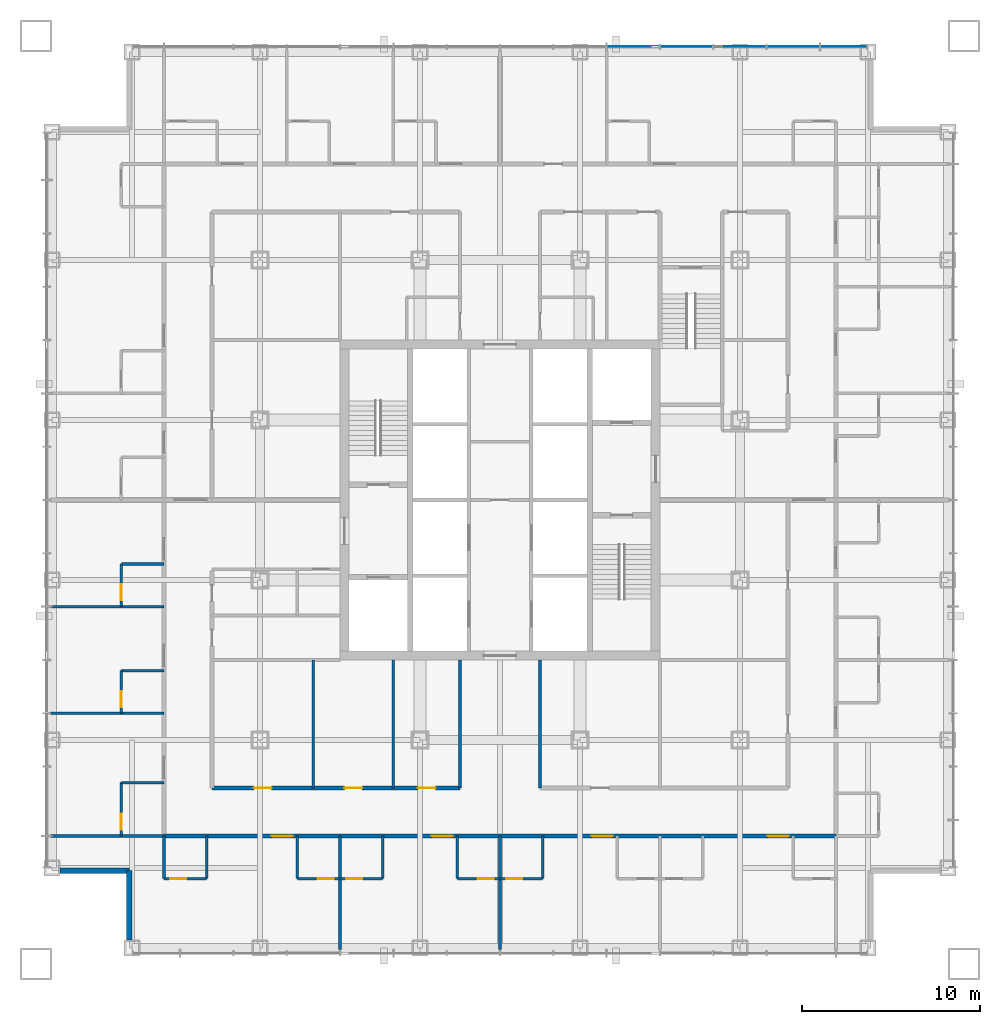
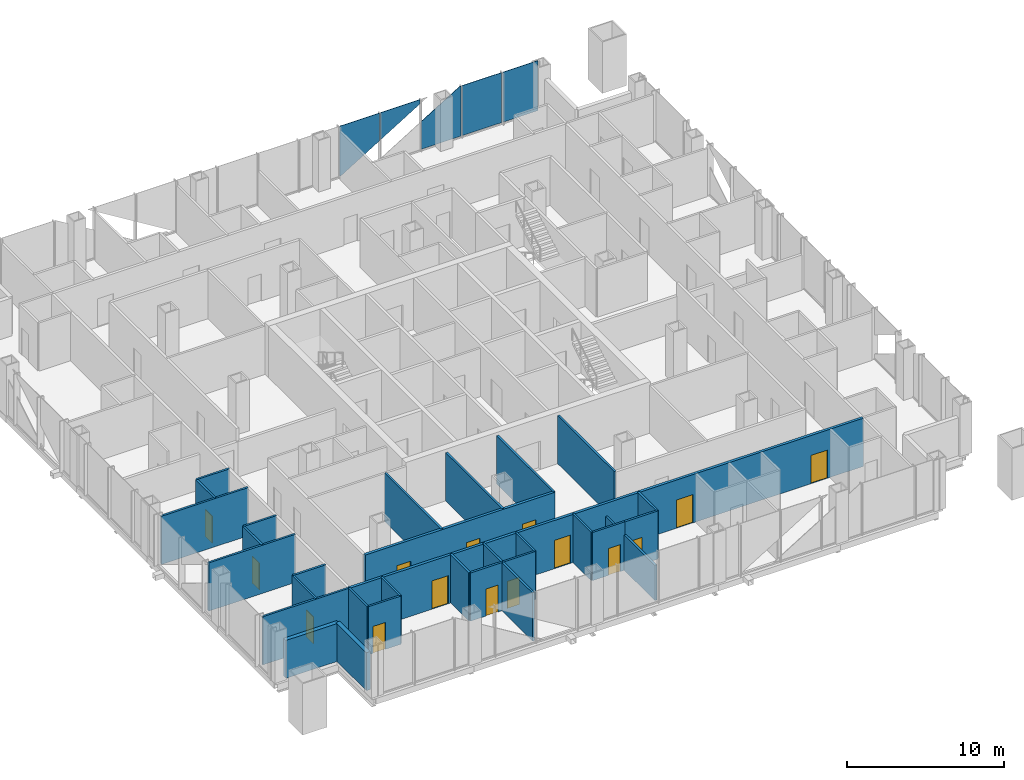
# One storey, part 7 of 17: 30 walls, 15 doors, 5 plates, 15 openings, 1 element without a shape of its own.
"""IFC4 building model written with IfcOpenShell, lengths in metres."""

from ifc_helpers import new_model, si_unit, direction, frame, frame_2d, origin, origin_2d, place, context, subcontext, project, spatial, polyline, rectangle, outline, extrude, material, layer, layer_set, type_object, element, fill, aggregate, save


model = new_model("IFC4")

# Units and contexts
model_context = context("Model", 3, precision=1e-05, world=origin(), true_north=direction((0.0, 1.0)))
body_context = subcontext(model_context, "Body", "Model", "MODEL_VIEW")
ifc_project = project(units=[si_unit("LENGTHUNIT", "METRE"), si_unit("AREAUNIT", "SQUARE_METRE"), si_unit("VOLUMEUNIT", "CUBIC_METRE"), si_unit("PLANEANGLEUNIT", "RADIAN"), si_unit("MASSUNIT", "GRAM", prefix="KILO")], contexts=[model_context])

# Site, building, storey
site_placement = place(None, origin())
site = spatial("IfcSite", under=ifc_project, at=site_placement, CompositionType="ELEMENT")
building_placement = place(site_placement, origin())
building = spatial("IfcBuilding", under=site, at=building_placement, Name="Malebo Sky Hospital", CompositionType="ELEMENT")
storey_placement = place(building_placement, frame((0.0, 0.0, 51.0)))
storey = spatial("IfcBuildingStorey", under=building, at=storey_placement, Name="L11", CompositionType="ELEMENT", Elevation=51.0)

# Curtain wall, plates
ifc_material_1 = material(Name="Anodised aluminium, natural silver", Category="aluminium")
ifc_layer_1 = layer(ifc_material_1, 0.25)
ifc_layer_set_1 = layer_set([ifc_layer_1], Name="WARD CURTAIN WALL NORTH AND SOUTH")
curtain_wall_type = type_object("IfcCurtainWallType", Name="WARD CURTAIN WALL NORTH AND SOUTH", PredefinedType="NOTDEFINED", material=ifc_layer_set_1)
curtain_wall_placement = place(storey_placement, origin())
curtain_wall = element("IfcCurtainWall", 1, at=curtain_wall_placement, inside=storey, type_object=curtain_wall_type, Name="NS curtain wall N", PredefinedType="NOTDEFINED")
ifc_material_2 = material(Name="Clear low-iron double glazing", Category="glass")
ifc_layer_2 = layer(ifc_material_2, 0.031982421875)
ifc_layer_set_2 = layer_set([ifc_layer_2], Name="VISION PANEL CLEAR 32")
plate_type = type_object("IfcPlateType", Name="VISION PANEL CLEAR 32", PredefinedType="CURTAIN_PANEL", material=ifc_layer_set_2)
plate_1_placement = place(storey_placement, frame((67.5, 87.5, 0.10009765625), z_axis=(0.0, 0.0, 1.0), x_axis=(1.0, 0.0, 0.0)))
plate_1 = element("IfcPlate", 2, at=plate_1_placement, type_object=plate_type, Name="Panel 10", PredefinedType="CURTAIN_PANEL", context=body_context, shape_type="SweptSolid", body=[
    extrude(outline(polyline([(-1.46240234375, 0.0), (-1.356201171875, 0.0), (1.46240234375, 1.72802734375), (1.46240234375, 3.889892578125), (-1.46240234375, 3.889892578125), (-1.46240234375, 0.0)])), frame((0.0, 0.01611328125, 0.0), z_axis=(0.0, -1.0, 0.0), x_axis=(1.0, 0.0, 0.0)), (0.0, 0.0, 1.0), 0.031982421875),
])
plate_2_placement = place(storey_placement, frame((70.5, 87.5, 1.8740234375), z_axis=(0.0, 0.0, 1.0), x_axis=(1.0, 0.0, 0.0)))
plate_2 = element("IfcPlate", 3, at=plate_2_placement, type_object=plate_type, Name="Panel 11", PredefinedType="CURTAIN_PANEL", context=body_context, shape_type="SweptSolid", body=[
    extrude(outline(polyline([(-1.46240234375, 0.0), (1.46240234375, 1.793212890625), (1.46240234375, 2.115966796875), (-1.46240234375, 2.115966796875), (-1.46240234375, 0.0)])), frame((0.0, 0.01611328125, 0.0), z_axis=(0.0, -1.0, 0.0), x_axis=(1.0, 0.0, 0.0)), (0.0, 0.0, 1.0), 0.031982421875),
])
plate_3_placement = place(storey_placement, frame((73.5, 87.5, 0.10009765625), z_axis=(0.0, 0.0, 1.0), x_axis=(1.0, 0.0, 0.0)))
plate_3 = element("IfcPlate", 4, at=plate_3_placement, type_object=plate_type, Name="Panel 12", PredefinedType="CURTAIN_PANEL", context=body_context, shape_type="SweptSolid", body=[
    extrude(outline(polyline([(-1.46240234375, 0.0), (1.46240234375, 0.0), (1.46240234375, 3.889892578125), (1.3828125, 3.889892578125), (-1.46240234375, 2.145751953125), (-1.46240234375, 0.0)])), frame((0.0, 0.01611328125, 0.0), z_axis=(0.0, -1.0, 0.0), x_axis=(1.0, 0.0, 0.0)), (0.0, 0.0, 1.0), 0.031982421875),
])
plate_4_placement = place(storey_placement, frame((76.5, 87.5, 0.10009765625), z_axis=(0.0, 0.0, 1.0), x_axis=(1.0, 0.0, 0.0)))
plate_4 = element("IfcPlate", 5, at=plate_4_placement, type_object=plate_type, Name="Panel 13", PredefinedType="CURTAIN_PANEL", context=body_context, shape_type="SweptSolid", body=[
    extrude(rectangle(XDim=2.925048828125, YDim=0.031982421875, at=origin_2d()), origin(), (0.0, 0.0, 1.0), 3.889892578125),
])
plate_5_placement = place(storey_placement, frame((79.331298828125, 87.5, 0.10009765625), z_axis=(0.0, 0.0, 1.0), x_axis=(1.0, 0.0, 0.0)))
plate_5 = element("IfcPlate", 6, at=plate_5_placement, type_object=plate_type, Name="Panel 14", PredefinedType="CURTAIN_PANEL", context=body_context, shape_type="SweptSolid", body=[
    extrude(rectangle(XDim=2.58740234375, YDim=0.031982421875, at=origin_2d()), origin(), (0.0, 0.0, 1.0), 3.889892578125),
])
aggregate(curtain_wall, [plate_1, plate_2, plate_3, plate_4, plate_5])

# Wall, openings, doors
ifc_material_3 = material(Name="Gypsum board on steel studs", Category="steel")
ifc_layer_3 = layer(ifc_material_3, 0.199951171875)
ifc_layer_set_3 = layer_set([ifc_layer_3], Name="CORRIDOR WALL 200")
wall_type_1 = type_object("IfcWallType", Name="CORRIDOR WALL 200", PredefinedType="PARTITIONING", material=ifc_layer_set_3)
wall_1_placement = place(storey_placement, frame((78.89990234375, 43.10009765625, 0.0), z_axis=(0.0, 0.0, 1.0), x_axis=(-1.0, 0.0, 0.0)))
wall_1 = element("IfcWall", 7, at=wall_1_placement, inside=storey, type_object=wall_type_1, Name="Corridor Wall 200 SCO", PredefinedType="PARTITIONING", context=body_context, shape_type="SweptSolid", body=[
    extrude(rectangle(XDim=37.7998046875, YDim=0.199951171875, at=frame_2d((18.89990234375, 0.0))), origin(), (0.0, 0.0, 1.0), 3.75),
])
opening_1_placement = place(wall_1_placement, frame((2.64990234375, 0.0, 0.0)))
opening_1 = element("IfcOpeningElement", 8, at=opening_1_placement, cuts=wall_1, Name="Opening D01", PredefinedType="OPENING", context=body_context, shape_type="SweptSolid", body=[
    extrude(rectangle(XDim=1.199951171875, YDim=2.199951171875, at=frame_2d((0.60009765625, 1.10009765625))), frame((0.0, 0.10986328125, 0.0), z_axis=(0.0, -1.0, 0.0), x_axis=(1.0, 0.0, 0.0)), (0.0, 0.0, 1.0), 0.219970703125),
])
opening_2_placement = place(wall_1_placement, frame((12.550048828125, 0.0, 0.0)))
opening_2 = element("IfcOpeningElement", 9, at=opening_2_placement, cuts=wall_1, Name="Opening D01", PredefinedType="OPENING", context=body_context, shape_type="SweptSolid", body=[
    extrude(rectangle(XDim=1.199951171875, YDim=2.199951171875, at=frame_2d((0.60009765625, 1.10009765625))), frame((0.0, 0.10986328125, 0.0), z_axis=(0.0, -1.0, 0.0), x_axis=(1.0, 0.0, 0.0)), (0.0, 0.0, 1.0), 0.219970703125),
])
opening_3_placement = place(wall_1_placement, frame((21.550048828125, 0.0, 0.0)))
opening_3 = element("IfcOpeningElement", 10, at=opening_3_placement, cuts=wall_1, Name="Opening D01", PredefinedType="OPENING", context=body_context, shape_type="SweptSolid", body=[
    extrude(rectangle(XDim=1.199951171875, YDim=2.199951171875, at=frame_2d((0.60009765625, 1.10009765625))), frame((0.0, 0.10986328125, 0.0), z_axis=(0.0, -1.0, 0.0), x_axis=(1.0, 0.0, 0.0)), (0.0, 0.0, 1.0), 0.219970703125),
])
opening_4_placement = place(wall_1_placement, frame((30.550048828125, 0.0, 0.0)))
opening_4 = element("IfcOpeningElement", 11, at=opening_4_placement, cuts=wall_1, Name="Opening D01", PredefinedType="OPENING", context=body_context, shape_type="SweptSolid", body=[
    extrude(rectangle(XDim=1.199951171875, YDim=2.199951171875, at=frame_2d((0.60009765625, 1.10009765625))), frame((0.0, 0.10986328125, 0.0), z_axis=(0.0, -1.0, 0.0), x_axis=(1.0, 0.0, 0.0)), (0.0, 0.0, 1.0), 0.219970703125),
])
ifc_material_4 = material(Name="Hardwood-faced door leaf in steel frame", Category="steel")
door_type_1 = type_object("IfcDoorType", Name="BED DOOR 1200", OperationType="SINGLE_SWING_LEFT", PredefinedType="DOOR", material=ifc_material_4)
door_1_placement = place(opening_1_placement, origin())
door_1 = element("IfcDoor", 12, at=door_1_placement, inside=storey, type_object=door_type_1, Name="Four-bed bay door", OperationType="SINGLE_SWING_LEFT", OverallHeight=2.199951171875, OverallWidth=1.199951171875, PredefinedType="DOOR", context=body_context, shape_type="SweptSolid", body=[
    extrude(rectangle(XDim=1.199951171875, YDim=2.199951171875, at=frame_2d((0.60009765625, 1.10009765625))), frame((0.0, 0.02490234375, 0.0), z_axis=(0.0, -1.0, 0.0), x_axis=(1.0, 0.0, 0.0)), (0.0, 0.0, 1.0), 0.050048828125),
])
fill(opening_1, door_1)
door_2_placement = place(opening_2_placement, origin())
door_2 = element("IfcDoor", 13, at=door_2_placement, inside=storey, type_object=door_type_1, Name="Four-bed bay door", OperationType="SINGLE_SWING_LEFT", OverallHeight=2.199951171875, OverallWidth=1.199951171875, PredefinedType="DOOR", context=body_context, shape_type="SweptSolid", body=[
    extrude(rectangle(XDim=1.199951171875, YDim=2.199951171875, at=frame_2d((0.60009765625, 1.10009765625))), frame((0.0, 0.02490234375, 0.0), z_axis=(0.0, -1.0, 0.0), x_axis=(1.0, 0.0, 0.0)), (0.0, 0.0, 1.0), 0.050048828125),
])
fill(opening_2, door_2)
door_3_placement = place(opening_3_placement, origin())
door_3 = element("IfcDoor", 14, at=door_3_placement, inside=storey, type_object=door_type_1, Name="Four-bed bay door", OperationType="SINGLE_SWING_LEFT", OverallHeight=2.199951171875, OverallWidth=1.199951171875, PredefinedType="DOOR", context=body_context, shape_type="SweptSolid", body=[
    extrude(rectangle(XDim=1.199951171875, YDim=2.199951171875, at=frame_2d((0.60009765625, 1.10009765625))), frame((0.0, 0.02490234375, 0.0), z_axis=(0.0, -1.0, 0.0), x_axis=(1.0, 0.0, 0.0)), (0.0, 0.0, 1.0), 0.050048828125),
])
fill(opening_3, door_3)
door_4_placement = place(opening_4_placement, origin())
door_4 = element("IfcDoor", 15, at=door_4_placement, inside=storey, type_object=door_type_1, Name="Four-bed bay door", OperationType="SINGLE_SWING_LEFT", OverallHeight=2.199951171875, OverallWidth=1.199951171875, PredefinedType="DOOR", context=body_context, shape_type="SweptSolid", body=[
    extrude(rectangle(XDim=1.199951171875, YDim=2.199951171875, at=frame_2d((0.60009765625, 1.10009765625))), frame((0.0, 0.02490234375, 0.0), z_axis=(0.0, -1.0, 0.0), x_axis=(1.0, 0.0, 0.0)), (0.0, 0.0, 1.0), 0.050048828125),
])
fill(opening_4, door_4)

wall_2_placement = place(storey_placement, frame((57.75, 45.800048828125, 0.0), z_axis=(0.0, 0.0, 1.0), x_axis=(-1.0, 0.0, 0.0)))
wall_2 = element("IfcWall", 16, at=wall_2_placement, inside=storey, type_object=wall_type_1, Name="Corridor Wall 200 SCI2", PredefinedType="PARTITIONING", context=body_context, shape_type="SweptSolid", body=[
    extrude(rectangle(XDim=13.949951171875, YDim=0.199951171875, at=frame_2d((6.97509765625, 0.0))), origin(), (0.0, 0.0, 1.0), 3.75),
])
opening_5_placement = place(wall_2_placement, frame((1.375, 0.0, 0.0)))
opening_5 = element("IfcOpeningElement", 17, at=opening_5_placement, cuts=wall_2, Name="Opening D03", PredefinedType="OPENING", context=body_context, shape_type="SweptSolid", body=[
    extrude(rectangle(XDim=1.0, YDim=2.10009765625, at=frame_2d((0.5, 1.050048828125))), frame((0.0, 0.10986328125, 0.0), z_axis=(0.0, -1.0, 0.0), x_axis=(1.0, 0.0, 0.0)), (0.0, 0.0, 1.0), 0.219970703125),
])
opening_6_placement = place(wall_2_placement, frame((5.5, 0.0, 0.0)))
opening_6 = element("IfcOpeningElement", 18, at=opening_6_placement, cuts=wall_2, Name="Opening D03", PredefinedType="OPENING", context=body_context, shape_type="SweptSolid", body=[
    extrude(rectangle(XDim=1.0, YDim=2.10009765625, at=frame_2d((0.5, 1.050048828125))), frame((0.0, 0.10986328125, 0.0), z_axis=(0.0, -1.0, 0.0), x_axis=(1.0, 0.0, 0.0)), (0.0, 0.0, 1.0), 0.219970703125),
])
opening_7_placement = place(wall_2_placement, frame((10.60009765625, 0.0, 0.0)))
opening_7 = element("IfcOpeningElement", 19, at=opening_7_placement, cuts=wall_2, Name="Opening D03", PredefinedType="OPENING", context=body_context, shape_type="SweptSolid", body=[
    extrude(rectangle(XDim=1.0, YDim=2.10009765625, at=frame_2d((0.5, 1.050048828125))), frame((0.0, 0.10986328125, 0.0), z_axis=(0.0, -1.0, 0.0), x_axis=(1.0, 0.0, 0.0)), (0.0, 0.0, 1.0), 0.219970703125),
])
door_type_2 = type_object("IfcDoorType", Name="ROOM DOOR 1000", OperationType="SINGLE_SWING_LEFT", PredefinedType="DOOR", material=ifc_material_4)
door_5_placement = place(opening_5_placement, origin())
door_5 = element("IfcDoor", 20, at=door_5_placement, inside=storey, type_object=door_type_2, Name="Ward office door", OperationType="SINGLE_SWING_LEFT", OverallHeight=2.10009765625, OverallWidth=1.0, PredefinedType="DOOR", context=body_context, shape_type="SweptSolid", body=[
    extrude(rectangle(XDim=1.0, YDim=2.10009765625, at=frame_2d((0.5, 1.050048828125))), frame((0.0, 0.02490234375, 0.0), z_axis=(0.0, -1.0, 0.0), x_axis=(1.0, 0.0, 0.0)), (0.0, 0.0, 1.0), 0.050048828125),
])
fill(opening_5, door_5)
door_6_placement = place(opening_6_placement, origin())
door_6 = element("IfcDoor", 21, at=door_6_placement, inside=storey, type_object=door_type_2, Name="Dirty utility room door", OperationType="SINGLE_SWING_LEFT", OverallHeight=2.10009765625, OverallWidth=1.0, PredefinedType="DOOR", context=body_context, shape_type="SweptSolid", body=[
    extrude(rectangle(XDim=1.0, YDim=2.10009765625, at=frame_2d((0.5, 1.050048828125))), frame((0.0, 0.02490234375, 0.0), z_axis=(0.0, -1.0, 0.0), x_axis=(1.0, 0.0, 0.0)), (0.0, 0.0, 1.0), 0.050048828125),
])
fill(opening_6, door_6)
door_7_placement = place(opening_7_placement, origin())
door_7 = element("IfcDoor", 22, at=door_7_placement, inside=storey, type_object=door_type_2, Name="Interview room door", OperationType="SINGLE_SWING_RIGHT", OverallHeight=2.10009765625, OverallWidth=1.0, PredefinedType="DOOR", context=body_context, shape_type="SweptSolid", body=[
    extrude(rectangle(XDim=1.0, YDim=2.10009765625, at=frame_2d((0.5, 1.050048828125))), frame((0.0, 0.02490234375, 0.0), z_axis=(0.0, -1.0, 0.0), x_axis=(1.0, 0.0, 0.0)), (0.0, 0.0, 1.0), 0.050048828125),
])
fill(opening_7, door_7)

# Walls
ifc_material_5 = material(Name="Anodised aluminium rainscreen on steel framing", Category="steel")
ifc_layer_4 = layer(ifc_material_5, 0.300048828125)
ifc_layer_set_4 = layer_set([ifc_layer_4], Name="NOTCH RAINSCREEN WALL 300")
wall_type_2 = type_object("IfcWallType", Name="NOTCH RAINSCREEN WALL 300", PredefinedType="ELEMENTEDWALL", material=ifc_layer_set_4)
for number, where, z_axis, x_axis, name in (
    (23, (39.14990234375, 37.25, 0.0), (0.0, 0.0, 1.0), (0.0, 1.0, 0.0), "Notch rainscreen wall S1 L11"),
    (24, (39.14990234375, 41.14990234375, 0.0), (0.0, 0.0, 1.0), (-1.0, 0.0, 0.0), "Notch rainscreen wall S2 L11"),
):
    element("IfcWall", number, at=place(storey_placement, frame(where, z_axis=z_axis, x_axis=x_axis)), inside=storey, type_object=wall_type_2, Name=name, PredefinedType="ELEMENTEDWALL", context=body_context, shape_type="SweptSolid", body=[
        extrude(rectangle(XDim=3.89990234375, YDim=0.300048828125, at=frame_2d((1.949951171875, 0.0))), origin(), (0.0, 0.0, 1.0), 2.949951171875),
    ])
ifc_layer_5 = layer(ifc_material_3, 0.14990234375)
ifc_layer_set_5 = layer_set([ifc_layer_5], Name="PARTITION 150")
wall_type_3 = type_object("IfcWallType", Name="PARTITION 150", PredefinedType="PARTITIONING", material=ifc_layer_set_5)
for number, where, z_axis, x_axis, name in (
    (25, (41.10009765625, 50.0, 0.0), (0.0, 0.0, 1.0), (-1.0, 0.0, 0.0), "Partition 150 WP-12.0"),
    (26, (41.10009765625, 56.0, 0.0), (0.0, 0.0, 1.0), (-1.0, 0.0, 0.0), "Partition 150 WP-6.0"),
    (27, (41.10009765625, 43.10009765625, 0.0), (0.0, 0.0, 1.0), (-1.0, 0.0, 0.0), "Partition 150 WP0"),
):
    element("IfcWall", number, at=place(storey_placement, frame(where, z_axis=z_axis, x_axis=x_axis)), inside=storey, type_object=wall_type_3, Name=name, PredefinedType="PARTITIONING", context=body_context, shape_type="SweptSolid", body=[
        extrude(rectangle(XDim=6.375, YDim=0.14990234375, at=frame_2d((3.1875, 0.0))), origin(), (0.0, 0.0, 1.0), 3.75),
    ])

# Wall, opening, door
wall_3_placement = place(storey_placement, frame((38.699951171875, 43.10009765625, 0.0), z_axis=(0.0, 0.0, 1.0), x_axis=(0.0, 1.0, 0.0)))
wall_3 = element("IfcWall", 28, at=wall_3_placement, inside=storey, type_object=wall_type_3, Name="Partition 150 WE0F", PredefinedType="PARTITIONING", context=body_context, shape_type="SweptSolid", body=[
    extrude(rectangle(XDim=3.0, YDim=0.14990234375, at=frame_2d((1.5, 0.0))), origin(), (0.0, 0.0, 1.0), 3.75),
])
opening_8_placement = place(wall_3_placement, frame((0.35009765625, 0.0, 0.0)))
opening_8 = element("IfcOpeningElement", 29, at=opening_8_placement, cuts=wall_3, Name="Opening D02", PredefinedType="OPENING", context=body_context, shape_type="SweptSolid", body=[
    extrude(rectangle(XDim=0.89990234375, YDim=2.10009765625, at=frame_2d((0.449951171875, 1.050048828125))), frame((0.0, 0.0849609375, 0.0), z_axis=(0.0, -1.0, 0.0), x_axis=(1.0, 0.0, 0.0)), (0.0, 0.0, 1.0), 0.169921875),
])
door_type_3 = type_object("IfcDoorType", Name="EN-SUITE DOOR 900", OperationType="SINGLE_SWING_LEFT", PredefinedType="DOOR", material=ifc_material_4)
door_8_placement = place(opening_8_placement, origin())
door_8 = element("IfcDoor", 30, at=door_8_placement, inside=storey, type_object=door_type_3, Name="En-suite door", OperationType="SINGLE_SWING_LEFT", OverallHeight=2.10009765625, OverallWidth=0.89990234375, PredefinedType="DOOR", context=body_context, shape_type="SweptSolid", body=[
    extrude(rectangle(XDim=0.89990234375, YDim=2.10009765625, at=frame_2d((0.449951171875, 1.050048828125))), frame((0.0, 0.02490234375, 0.0), z_axis=(0.0, -1.0, 0.0), x_axis=(1.0, 0.0, 0.0)), (0.0, 0.0, 1.0), 0.050048828125),
])
fill(opening_8, door_8)

# Wall
wall_4_placement = place(storey_placement, frame((41.10009765625, 46.10009765625, 0.0), z_axis=(0.0, 0.0, 1.0), x_axis=(-1.0, 0.0, 0.0)))
element("IfcWall", 31, at=wall_4_placement, inside=storey, type_object=wall_type_3, Name="Partition 150 WE0S", PredefinedType="PARTITIONING", context=body_context, shape_type="SweptSolid", body=[
    extrude(rectangle(XDim=2.400146484375, YDim=0.14990234375, at=frame_2d((1.2001953125, 0.0))), origin(), (0.0, 0.0, 1.0), 3.75),
])

# Wall, opening, door
wall_5_placement = place(storey_placement, frame((38.699951171875, 50.0, 0.0), z_axis=(0.0, 0.0, 1.0), x_axis=(0.0, 1.0, 0.0)))
wall_5 = element("IfcWall", 32, at=wall_5_placement, inside=storey, type_object=wall_type_3, Name="Partition 150 WE1F", PredefinedType="PARTITIONING", context=body_context, shape_type="SweptSolid", body=[
    extrude(rectangle(XDim=2.39990234375, YDim=0.14990234375, at=frame_2d((1.199951171875, 0.0))), origin(), (0.0, 0.0, 1.0), 3.75),
])
opening_9_placement = place(wall_5_placement, frame((0.35009765625, 0.0, 0.0)))
opening_9 = element("IfcOpeningElement", 33, at=opening_9_placement, cuts=wall_5, Name="Opening D02", PredefinedType="OPENING", context=body_context, shape_type="SweptSolid", body=[
    extrude(rectangle(XDim=0.89990234375, YDim=2.10009765625, at=frame_2d((0.449951171875, 1.050048828125))), frame((0.0, 0.0849609375, 0.0), z_axis=(0.0, -1.0, 0.0), x_axis=(1.0, 0.0, 0.0)), (0.0, 0.0, 1.0), 0.169921875),
])
door_9_placement = place(opening_9_placement, origin())
door_9 = element("IfcDoor", 34, at=door_9_placement, inside=storey, type_object=door_type_3, Name="En-suite door", OperationType="SINGLE_SWING_LEFT", OverallHeight=2.10009765625, OverallWidth=0.89990234375, PredefinedType="DOOR", context=body_context, shape_type="SweptSolid", body=[
    extrude(rectangle(XDim=0.89990234375, YDim=2.10009765625, at=frame_2d((0.449951171875, 1.050048828125))), frame((0.0, 0.02490234375, 0.0), z_axis=(0.0, -1.0, 0.0), x_axis=(1.0, 0.0, 0.0)), (0.0, 0.0, 1.0), 0.050048828125),
])
fill(opening_9, door_9)

# Wall
wall_6_placement = place(storey_placement, frame((41.10009765625, 52.39990234375, 0.0), z_axis=(0.0, 0.0, 1.0), x_axis=(-1.0, 0.0, 0.0)))
element("IfcWall", 35, at=wall_6_placement, inside=storey, type_object=wall_type_3, Name="Partition 150 WE1S", PredefinedType="PARTITIONING", context=body_context, shape_type="SweptSolid", body=[
    extrude(rectangle(XDim=2.400146484375, YDim=0.14990234375, at=frame_2d((1.2001953125, 0.0))), origin(), (0.0, 0.0, 1.0), 3.75),
])

# Wall, opening, door
wall_7_placement = place(storey_placement, frame((38.699951171875, 56.0, 0.0), z_axis=(0.0, 0.0, 1.0), x_axis=(0.0, 1.0, 0.0)))
wall_7 = element("IfcWall", 36, at=wall_7_placement, inside=storey, type_object=wall_type_3, Name="Partition 150 WE2F", PredefinedType="PARTITIONING", context=body_context, shape_type="SweptSolid", body=[
    extrude(rectangle(XDim=2.39990234375, YDim=0.14990234375, at=frame_2d((1.199951171875, 0.0))), origin(), (0.0, 0.0, 1.0), 3.75),
])
opening_10_placement = place(wall_7_placement, frame((0.35009765625, 0.0, 0.0)))
opening_10 = element("IfcOpeningElement", 37, at=opening_10_placement, cuts=wall_7, Name="Opening D02", PredefinedType="OPENING", context=body_context, shape_type="SweptSolid", body=[
    extrude(rectangle(XDim=0.89990234375, YDim=2.10009765625, at=frame_2d((0.449951171875, 1.050048828125))), frame((0.0, 0.0849609375, 0.0), z_axis=(0.0, -1.0, 0.0), x_axis=(1.0, 0.0, 0.0)), (0.0, 0.0, 1.0), 0.169921875),
])
door_10_placement = place(opening_10_placement, origin())
door_10 = element("IfcDoor", 38, at=door_10_placement, inside=storey, type_object=door_type_3, Name="En-suite door", OperationType="SINGLE_SWING_LEFT", OverallHeight=2.10009765625, OverallWidth=0.89990234375, PredefinedType="DOOR", context=body_context, shape_type="SweptSolid", body=[
    extrude(rectangle(XDim=0.89990234375, YDim=2.10009765625, at=frame_2d((0.449951171875, 1.050048828125))), frame((0.0, 0.02490234375, 0.0), z_axis=(0.0, -1.0, 0.0), x_axis=(1.0, 0.0, 0.0)), (0.0, 0.0, 1.0), 0.050048828125),
])
fill(opening_10, door_10)

# Walls
wall_8_placement = place(storey_placement, frame((41.10009765625, 58.39990234375, 0.0), z_axis=(0.0, 0.0, 1.0), x_axis=(-1.0, 0.0, 0.0)))
element("IfcWall", 39, at=wall_8_placement, inside=storey, type_object=wall_type_3, Name="Partition 150 WE2S", PredefinedType="PARTITIONING", context=body_context, shape_type="SweptSolid", body=[
    extrude(rectangle(XDim=2.400146484375, YDim=0.14990234375, at=frame_2d((1.2001953125, 0.0))), origin(), (0.0, 0.0, 1.0), 3.75),
])
wall_9_placement = place(storey_placement, frame((60.0, 43.10009765625, 0.0), z_axis=(0.0, 0.0, 1.0), x_axis=(0.0, -1.0, 0.0)))
element("IfcWall", 40, at=wall_9_placement, inside=storey, type_object=wall_type_3, Name="Partition 150 SP+0.0", PredefinedType="PARTITIONING", context=body_context, shape_type="SweptSolid", body=[
    extrude(rectangle(XDim=6.375, YDim=0.14990234375, at=frame_2d((3.1875, 0.0))), origin(), (0.0, 0.0, 1.0), 2.75),
])
wall_10_placement = place(storey_placement, frame((51.0, 43.10009765625, 0.0), z_axis=(0.0, 0.0, 1.0), x_axis=(0.0, -1.0, 0.0)))
element("IfcWall", 41, at=wall_10_placement, inside=storey, type_object=wall_type_3, Name="Partition 150 SP+9.0", PredefinedType="PARTITIONING", context=body_context, shape_type="SweptSolid", body=[
    extrude(rectangle(XDim=6.375, YDim=0.14990234375, at=frame_2d((3.1875, 0.0))), origin(), (0.0, 0.0, 1.0), 3.75),
])

# Wall, opening, door
wall_11_placement = place(storey_placement, frame((62.39990234375, 40.699951171875, 0.0), z_axis=(0.0, 0.0, 1.0), x_axis=(-1.0, 0.0, 0.0)))
wall_11 = element("IfcWall", 42, at=wall_11_placement, inside=storey, type_object=wall_type_3, Name="Partition 150 SG1F", PredefinedType="PARTITIONING", context=body_context, shape_type="SweptSolid", body=[
    extrude(rectangle(XDim=2.39990234375, YDim=0.14990234375, at=frame_2d((1.199951171875, 0.0))), origin(), (0.0, 0.0, 1.0), 3.75),
])
opening_11_placement = place(wall_11_placement, frame((1.14990234375, 0.0, 0.0)))
opening_11 = element("IfcOpeningElement", 43, at=opening_11_placement, cuts=wall_11, Name="Opening D02", PredefinedType="OPENING", context=body_context, shape_type="SweptSolid", body=[
    extrude(rectangle(XDim=0.89990234375, YDim=2.10009765625, at=frame_2d((0.449951171875, 1.050048828125))), frame((0.0, 0.0849609375, 0.0), z_axis=(0.0, -1.0, 0.0), x_axis=(1.0, 0.0, 0.0)), (0.0, 0.0, 1.0), 0.169921875),
])
door_11_placement = place(opening_11_placement, origin())
door_11 = element("IfcDoor", 44, at=door_11_placement, inside=storey, type_object=door_type_3, Name="En-suite door", OperationType="SINGLE_SWING_RIGHT", OverallHeight=2.10009765625, OverallWidth=0.89990234375, PredefinedType="DOOR", context=body_context, shape_type="SweptSolid", body=[
    extrude(rectangle(XDim=0.89990234375, YDim=2.10009765625, at=frame_2d((0.449951171875, 1.050048828125))), frame((0.0, 0.02490234375, 0.0), z_axis=(0.0, -1.0, 0.0), x_axis=(1.0, 0.0, 0.0)), (0.0, 0.0, 1.0), 0.050048828125),
])
fill(opening_11, door_11)

# Wall
wall_12_placement = place(storey_placement, frame((62.39990234375, 43.10009765625, 0.0), z_axis=(0.0, 0.0, 1.0), x_axis=(0.0, -1.0, 0.0)))
element("IfcWall", 45, at=wall_12_placement, inside=storey, type_object=wall_type_3, Name="Partition 150 SG1S", PredefinedType="PARTITIONING", context=body_context, shape_type="SweptSolid", body=[
    extrude(rectangle(XDim=2.400146484375, YDim=0.14990234375, at=frame_2d((1.2001953125, 0.0))), origin(), (0.0, 0.0, 1.0), 3.75),
])

# Wall, opening, door
wall_13_placement = place(storey_placement, frame((60.0, 40.699951171875, 0.0), z_axis=(0.0, 0.0, 1.0), x_axis=(-1.0, 0.0, 0.0)))
wall_13 = element("IfcWall", 46, at=wall_13_placement, inside=storey, type_object=wall_type_3, Name="Partition 150 SE2F", PredefinedType="PARTITIONING", context=body_context, shape_type="SweptSolid", body=[
    extrude(rectangle(XDim=2.39990234375, YDim=0.14990234375, at=frame_2d((1.199951171875, 0.0))), origin(), (0.0, 0.0, 1.0), 3.75),
])
opening_12_placement = place(wall_13_placement, frame((0.35009765625, 0.0, 0.0)))
opening_12 = element("IfcOpeningElement", 47, at=opening_12_placement, cuts=wall_13, Name="Opening D02", PredefinedType="OPENING", context=body_context, shape_type="SweptSolid", body=[
    extrude(rectangle(XDim=0.89990234375, YDim=2.10009765625, at=frame_2d((0.449951171875, 1.050048828125))), frame((0.0, 0.0849609375, 0.0), z_axis=(0.0, -1.0, 0.0), x_axis=(1.0, 0.0, 0.0)), (0.0, 0.0, 1.0), 0.169921875),
])
door_12_placement = place(opening_12_placement, origin())
door_12 = element("IfcDoor", 48, at=door_12_placement, inside=storey, type_object=door_type_3, Name="En-suite door", OperationType="SINGLE_SWING_LEFT", OverallHeight=2.10009765625, OverallWidth=0.89990234375, PredefinedType="DOOR", context=body_context, shape_type="SweptSolid", body=[
    extrude(rectangle(XDim=0.89990234375, YDim=2.10009765625, at=frame_2d((0.449951171875, 1.050048828125))), frame((0.0, 0.02490234375, 0.0), z_axis=(0.0, -1.0, 0.0), x_axis=(1.0, 0.0, 0.0)), (0.0, 0.0, 1.0), 0.050048828125),
])
fill(opening_12, door_12)

# Wall
wall_14_placement = place(storey_placement, frame((57.60009765625, 43.10009765625, 0.0), z_axis=(0.0, 0.0, 1.0), x_axis=(0.0, -1.0, 0.0)))
element("IfcWall", 49, at=wall_14_placement, inside=storey, type_object=wall_type_3, Name="Partition 150 SE2S", PredefinedType="PARTITIONING", context=body_context, shape_type="SweptSolid", body=[
    extrude(rectangle(XDim=2.400146484375, YDim=0.14990234375, at=frame_2d((1.2001953125, 0.0))), origin(), (0.0, 0.0, 1.0), 3.75),
])

# Wall, opening, door
wall_15_placement = place(storey_placement, frame((53.39990234375, 40.699951171875, 0.0), z_axis=(0.0, 0.0, 1.0), x_axis=(-1.0, 0.0, 0.0)))
wall_15 = element("IfcWall", 50, at=wall_15_placement, inside=storey, type_object=wall_type_3, Name="Partition 150 SG2F", PredefinedType="PARTITIONING", context=body_context, shape_type="SweptSolid", body=[
    extrude(rectangle(XDim=2.39990234375, YDim=0.14990234375, at=frame_2d((1.199951171875, 0.0))), origin(), (0.0, 0.0, 1.0), 3.75),
])
opening_13_placement = place(wall_15_placement, frame((1.14990234375, 0.0, 0.0)))
opening_13 = element("IfcOpeningElement", 51, at=opening_13_placement, cuts=wall_15, Name="Opening D02", PredefinedType="OPENING", context=body_context, shape_type="SweptSolid", body=[
    extrude(rectangle(XDim=0.89990234375, YDim=2.10009765625, at=frame_2d((0.449951171875, 1.050048828125))), frame((0.0, 0.0849609375, 0.0), z_axis=(0.0, -1.0, 0.0), x_axis=(1.0, 0.0, 0.0)), (0.0, 0.0, 1.0), 0.169921875),
])
door_13_placement = place(opening_13_placement, origin())
door_13 = element("IfcDoor", 52, at=door_13_placement, inside=storey, type_object=door_type_3, Name="En-suite door", OperationType="SINGLE_SWING_RIGHT", OverallHeight=2.10009765625, OverallWidth=0.89990234375, PredefinedType="DOOR", context=body_context, shape_type="SweptSolid", body=[
    extrude(rectangle(XDim=0.89990234375, YDim=2.10009765625, at=frame_2d((0.449951171875, 1.050048828125))), frame((0.0, 0.02490234375, 0.0), z_axis=(0.0, -1.0, 0.0), x_axis=(1.0, 0.0, 0.0)), (0.0, 0.0, 1.0), 0.050048828125),
])
fill(opening_13, door_13)

# Wall
wall_16_placement = place(storey_placement, frame((53.39990234375, 43.10009765625, 0.0), z_axis=(0.0, 0.0, 1.0), x_axis=(0.0, -1.0, 0.0)))
element("IfcWall", 53, at=wall_16_placement, inside=storey, type_object=wall_type_3, Name="Partition 150 SG2S", PredefinedType="PARTITIONING", context=body_context, shape_type="SweptSolid", body=[
    extrude(rectangle(XDim=2.400146484375, YDim=0.14990234375, at=frame_2d((1.2001953125, 0.0))), origin(), (0.0, 0.0, 1.0), 3.75),
])

# Wall, opening, door
wall_17_placement = place(storey_placement, frame((51.0, 40.699951171875, 0.0), z_axis=(0.0, 0.0, 1.0), x_axis=(-1.0, 0.0, 0.0)))
wall_17 = element("IfcWall", 54, at=wall_17_placement, inside=storey, type_object=wall_type_3, Name="Partition 150 SE3F", PredefinedType="PARTITIONING", context=body_context, shape_type="SweptSolid", body=[
    extrude(rectangle(XDim=2.39990234375, YDim=0.14990234375, at=frame_2d((1.199951171875, 0.0))), origin(), (0.0, 0.0, 1.0), 3.75),
])
opening_14_placement = place(wall_17_placement, frame((0.35009765625, 0.0, 0.0)))
opening_14 = element("IfcOpeningElement", 55, at=opening_14_placement, cuts=wall_17, Name="Opening D02", PredefinedType="OPENING", context=body_context, shape_type="SweptSolid", body=[
    extrude(rectangle(XDim=0.89990234375, YDim=2.10009765625, at=frame_2d((0.449951171875, 1.050048828125))), frame((0.0, 0.0849609375, 0.0), z_axis=(0.0, -1.0, 0.0), x_axis=(1.0, 0.0, 0.0)), (0.0, 0.0, 1.0), 0.169921875),
])
door_14_placement = place(opening_14_placement, origin())
door_14 = element("IfcDoor", 56, at=door_14_placement, inside=storey, type_object=door_type_3, Name="En-suite door", OperationType="SINGLE_SWING_LEFT", OverallHeight=2.10009765625, OverallWidth=0.89990234375, PredefinedType="DOOR", context=body_context, shape_type="SweptSolid", body=[
    extrude(rectangle(XDim=0.89990234375, YDim=2.10009765625, at=frame_2d((0.449951171875, 1.050048828125))), frame((0.0, 0.02490234375, 0.0), z_axis=(0.0, -1.0, 0.0), x_axis=(1.0, 0.0, 0.0)), (0.0, 0.0, 1.0), 0.050048828125),
])
fill(opening_14, door_14)

# Wall
wall_18_placement = place(storey_placement, frame((48.60009765625, 43.10009765625, 0.0), z_axis=(0.0, 0.0, 1.0), x_axis=(0.0, -1.0, 0.0)))
element("IfcWall", 57, at=wall_18_placement, inside=storey, type_object=wall_type_3, Name="Partition 150 SE3S", PredefinedType="PARTITIONING", context=body_context, shape_type="SweptSolid", body=[
    extrude(rectangle(XDim=2.400146484375, YDim=0.14990234375, at=frame_2d((1.2001953125, 0.0))), origin(), (0.0, 0.0, 1.0), 3.75),
])

# Wall, opening, door
wall_19_placement = place(storey_placement, frame((43.5, 40.699951171875, 0.0), z_axis=(0.0, 0.0, 1.0), x_axis=(-1.0, 0.0, 0.0)))
wall_19 = element("IfcWall", 58, at=wall_19_placement, inside=storey, type_object=wall_type_3, Name="Partition 150 SG3F", PredefinedType="PARTITIONING", context=body_context, shape_type="SweptSolid", body=[
    extrude(rectangle(XDim=2.39990234375, YDim=0.14990234375, at=frame_2d((1.199951171875, 0.0))), origin(), (0.0, 0.0, 1.0), 3.75),
])
opening_15_placement = place(wall_19_placement, frame((1.14990234375, 0.0, 0.0)))
opening_15 = element("IfcOpeningElement", 59, at=opening_15_placement, cuts=wall_19, Name="Opening D02", PredefinedType="OPENING", context=body_context, shape_type="SweptSolid", body=[
    extrude(rectangle(XDim=0.89990234375, YDim=2.10009765625, at=frame_2d((0.449951171875, 1.050048828125))), frame((0.0, 0.0849609375, 0.0), z_axis=(0.0, -1.0, 0.0), x_axis=(1.0, 0.0, 0.0)), (0.0, 0.0, 1.0), 0.169921875),
])
door_15_placement = place(opening_15_placement, origin())
door_15 = element("IfcDoor", 60, at=door_15_placement, inside=storey, type_object=door_type_3, Name="En-suite door", OperationType="SINGLE_SWING_RIGHT", OverallHeight=2.10009765625, OverallWidth=0.89990234375, PredefinedType="DOOR", context=body_context, shape_type="SweptSolid", body=[
    extrude(rectangle(XDim=0.89990234375, YDim=2.10009765625, at=frame_2d((0.449951171875, 1.050048828125))), frame((0.0, 0.02490234375, 0.0), z_axis=(0.0, -1.0, 0.0), x_axis=(1.0, 0.0, 0.0)), (0.0, 0.0, 1.0), 0.050048828125),
])
fill(opening_15, door_15)

# Walls
for number, where, z_axis, x_axis, name in (
    (61, (43.5, 43.10009765625, 0.0), (0.0, 0.0, 1.0), (0.0, -1.0, 0.0), "Partition 150 SG3S"),
    (62, (41.10009765625, 43.10009765625, 0.0), (0.0, 0.0, 1.0), (0.0, -1.0, 0.0), "Partition 150 SEZ"),
):
    element("IfcWall", number, at=place(storey_placement, frame(where, z_axis=z_axis, x_axis=x_axis)), inside=storey, type_object=wall_type_3, Name=name, PredefinedType="PARTITIONING", context=body_context, shape_type="SweptSolid", body=[
        extrude(rectangle(XDim=2.400146484375, YDim=0.14990234375, at=frame_2d((1.2001953125, 0.0))), origin(), (0.0, 0.0, 1.0), 3.75),
    ])
for number, where, z_axis, x_axis, name in (
    (63, (62.25, 53.0, 0.0), (0.0, 0.0, 1.0), (0.0, -1.0, 0.0), "Partition 150 SSPA"),
    (64, (57.75, 53.0, 0.0), (0.0, 0.0, 1.0), (0.0, -1.0, 0.0), "Partition 150 SSPB"),
    (65, (54.0, 53.0, 0.0), (0.0, 0.0, 1.0), (0.0, -1.0, 0.0), "Partition 150 SSP+6.0"),
    (66, (49.5, 53.0, 0.0), (0.0, 0.0, 1.0), (0.0, -1.0, 0.0), "Partition 150 SSP+10.5"),
):
    element("IfcWall", number, at=place(storey_placement, frame(where, z_axis=z_axis, x_axis=x_axis)), inside=storey, type_object=wall_type_3, Name=name, PredefinedType="PARTITIONING", context=body_context, shape_type="SweptSolid", body=[
        extrude(rectangle(XDim=7.199951171875, YDim=0.14990234375, at=frame_2d((3.60009765625, 0.0))), origin(), (0.0, 0.0, 1.0), 3.75),
    ])

save(model, "model.ifc")
